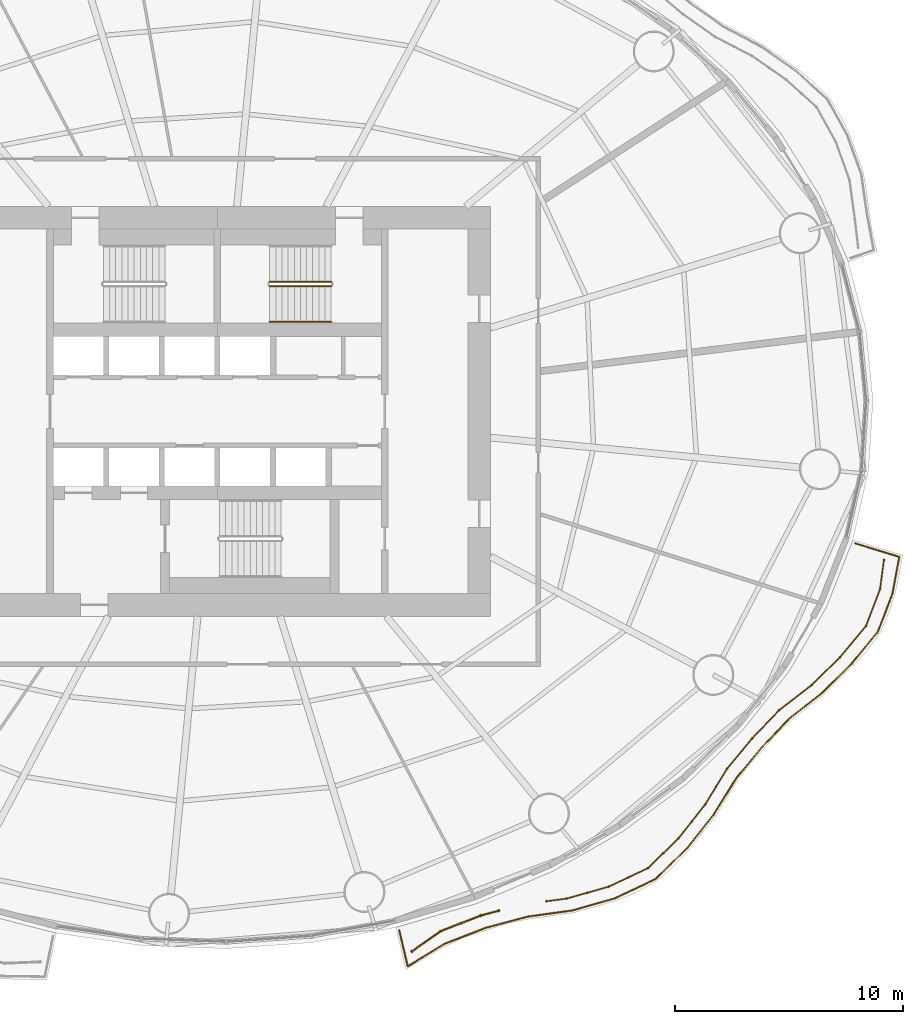
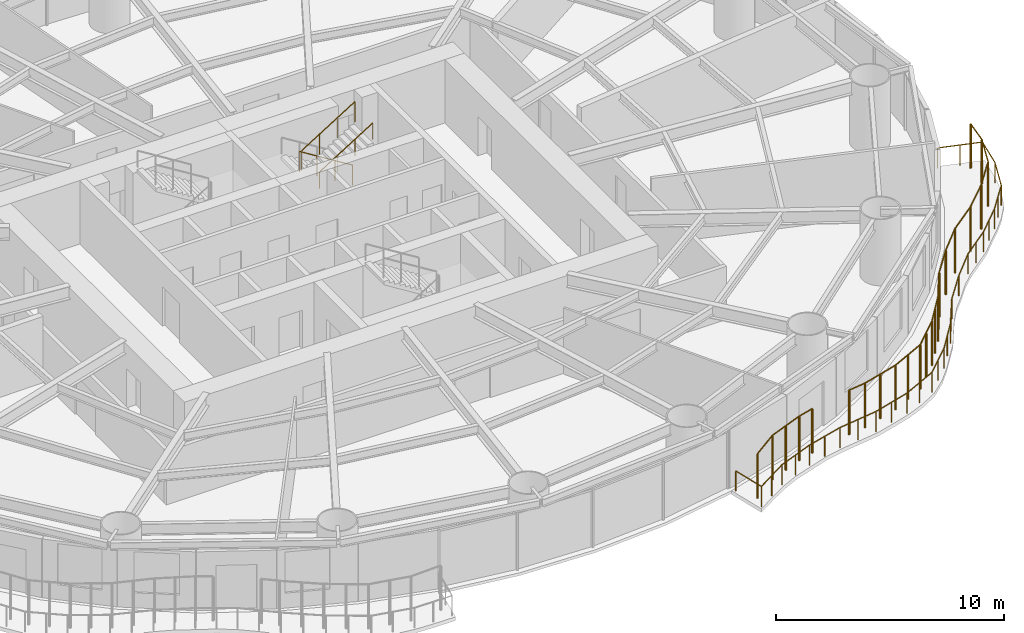
# One storey, part 14 of 17: 6 railings.
"""IFC4 building model written with IfcOpenShell, lengths in metres."""

from ifc_helpers import new_model, si_unit, direction, frame, origin, origin_2d, place, context, subcontext, project, spatial, circle, extrude, material, type_object, element, save


model = new_model("IFC4")

# Units and contexts
model_context = context("Model", 3, precision=1e-05, world=origin(), true_north=direction((0.0, 1.0)))
body_context = subcontext(model_context, "Body", "Model", "MODEL_VIEW")
ifc_project = project(units=[si_unit("LENGTHUNIT", "METRE"), si_unit("AREAUNIT", "SQUARE_METRE"), si_unit("VOLUMEUNIT", "CUBIC_METRE"), si_unit("PLANEANGLEUNIT", "RADIAN"), si_unit("MASSUNIT", "GRAM", prefix="KILO")], contexts=[model_context])

# Site, building, storey
site_placement = place(None, origin())
site = spatial("IfcSite", under=ifc_project, at=site_placement, CompositionType="ELEMENT")
building_placement = place(site_placement, origin())
building = spatial("IfcBuilding", under=site, at=building_placement, Name="Vermilion Reach Broadcast Tower", CompositionType="ELEMENT")
storey_placement = place(building_placement, frame((0.0, 0.0, 39.699951171875)))
storey = spatial("IfcBuildingStorey", under=building, at=storey_placement, Name="L06", CompositionType="ELEMENT", Elevation=39.699951171875)

# Railings
ifc_material_1 = material(Name="Terracotta baguette", Category="masonry")
railing_type_1 = type_object("IfcRailingType", Name="BAGUETTE SCREEN", PredefinedType="USERDEFINED", material=ifc_material_1)
railing_1_placement = place(storey_placement, frame((2.54541015625, -23.715087890625, 0.0)))
element("IfcRailing", 1, at=railing_1_placement, inside=storey, type_object=railing_type_1, Name="Baguette screen L06 group 4 part 1", ObjectType="BAGUETTE SCREEN", PredefinedType="USERDEFINED", context=body_context, shape_type="SweptSolid", body=[
    extrude(circle(Radius=0.030029296875, at=origin_2d()), frame((0.0, 0.0, 2.369873046875), z_axis=(0.818690672981, 0.574234779488, 0.0), x_axis=(-0.574234779488, 0.818690672981, 0.0)), (0.0, 0.0, 1.0), 1.548095703125),
    extrude(circle(Radius=0.030029296875, at=origin_2d()), frame((1.267333984375, 0.888916015625, 2.369873046875), z_axis=(0.931484720131, 0.363780450495, 0.0), x_axis=(-0.363780450495, 0.931484720131, 0.0)), (0.0, 0.0, 1.0), 1.88916015625),
    extrude(circle(Radius=0.030029296875, at=origin_2d()), frame((3.027099609375, 1.576171875, 2.369873046875), z_axis=(0.966199981896, 0.257793706253, 0.0), x_axis=(-0.257793706253, 0.966199981896, 0.0)), (0.0, 0.0, 1.0), 0.8115234375),
    extrude(circle(Radius=0.050048828125, at=origin_2d()), origin(), (0.0, 0.0, 1.0), 2.33984375),
    extrude(circle(Radius=0.050048828125, at=origin_2d()), frame((1.267333984375, 0.888916015625, 0.0)), (0.0, 0.0, 1.0), 2.33984375),
    extrude(circle(Radius=0.050048828125, at=origin_2d()), frame((2.147216796875, 1.232421875, 0.0)), (0.0, 0.0, 1.0), 2.33984375),
    extrude(circle(Radius=0.050048828125, at=origin_2d()), frame((3.027099609375, 1.576171875, 0.0)), (0.0, 0.0, 1.0), 2.33984375),
    extrude(circle(Radius=0.050048828125, at=origin_2d()), frame((3.811279296875, 1.785400390625, 0.0)), (0.0, 0.0, 1.0), 2.33984375),
])
railing_2_placement = place(storey_placement, frame((8.4609375, -21.51318359375, 0.0)))
element("IfcRailing", 2, at=railing_2_placement, inside=storey, type_object=railing_type_1, Name="Baguette screen L06 group 4 part 2", ObjectType="BAGUETTE SCREEN", PredefinedType="USERDEFINED", context=body_context, shape_type="SweptSolid", body=[
    extrude(circle(Radius=0.030029296875, at=origin_2d()), frame((0.0, 0.0, 2.369873046875), z_axis=(0.99131712861, 0.131492777462, 0.0), x_axis=(-0.131492777462, 0.99131712861, 0.0)), (0.0, 0.0, 1.0), 0.8818359375),
    extrude(circle(Radius=0.030029296875, at=origin_2d()), frame((0.874267578125, 0.115966796875, 2.369873046875), z_axis=(0.962344839156, 0.271831584901, 0.0), x_axis=(-0.271831584901, 0.962344839156, 0.0)), (0.0, 0.0, 1.0), 1.920166015625),
    extrude(circle(Radius=0.030029296875, at=origin_2d()), frame((2.72216796875, 0.637939453125, 2.369873046875), z_axis=(0.904125234419, 0.427267551408, 0.0), x_axis=(-0.427267551408, 0.904125234419, 0.0)), (0.0, 0.0, 1.0), 1.91015625),
    extrude(circle(Radius=0.030029296875, at=origin_2d()), frame((4.44921875, 1.4541015625, 2.369873046875), z_axis=(0.716141346478, 0.697955279272, 0.0), x_axis=(-0.697955279272, 0.716141346478, 0.0)), (0.0, 0.0, 1.0), 1.87939453125),
    extrude(circle(Radius=0.030029296875, at=origin_2d()), frame((5.795166015625, 2.765869140625, 2.369873046875), z_axis=(0.618347130727, 0.785905099819, 0.0), x_axis=(-0.785905099819, 0.618347130727, 0.0)), (0.0, 0.0, 1.0), 1.886962890625),
    extrude(circle(Radius=0.030029296875, at=origin_2d()), frame((6.9619140625, 4.248779296875, 2.369873046875), z_axis=(0.52149841475, 0.853252250752, 0.0), x_axis=(-0.853252250752, 0.52149841475, 0.0)), (0.0, 0.0, 1.0), 1.836181640625),
    extrude(circle(Radius=0.030029296875, at=origin_2d()), frame((7.91943359375, 5.8154296875, 2.369873046875), z_axis=(0.638313660268, 0.769776377343, 0.0), x_axis=(-0.769776377343, 0.638313660268, 0.0)), (0.0, 0.0, 1.0), 1.74755859375),
    extrude(circle(Radius=0.030029296875, at=origin_2d()), frame((9.034912109375, 7.16064453125, 2.369873046875), z_axis=(0.691437669875, 0.722436120828, 0.0), x_axis=(-0.722436120828, 0.691437669875, 0.0)), (0.0, 0.0, 1.0), 1.701171875),
    extrude(circle(Radius=0.030029296875, at=origin_2d()), frame((10.211181640625, 8.3896484375, 2.369873046875), z_axis=(0.790781165997, 0.612098968717, 0.0), x_axis=(-0.612098968717, 0.790781165997, 0.0)), (0.0, 0.0, 1.0), 1.791259765625),
    extrude(circle(Radius=0.030029296875, at=origin_2d()), frame((11.627685546875, 9.486083984375, 2.369873046875), z_axis=(0.714481562941, 0.699654269063, 0.0), x_axis=(-0.699654269063, 0.714481562941, 0.0)), (0.0, 0.0, 1.0), 1.76171875),
    extrude(circle(Radius=0.030029296875, at=origin_2d()), frame((12.886474609375, 10.71875, 2.369873046875), z_axis=(0.638810401964, 0.769364198766, 0.0), x_axis=(-0.769364198766, 0.638810401964, 0.0)), (0.0, 0.0, 1.0), 1.783935546875),
    extrude(circle(Radius=0.030029296875, at=origin_2d()), frame((14.026123046875, 12.09130859375, 2.369873046875), z_axis=(0.356730756204, 0.934207240166, 0.0), x_axis=(-0.934207240166, 0.356730756204, 0.0)), (0.0, 0.0, 1.0), 1.725341796875),
    extrude(circle(Radius=0.030029296875, at=origin_2d()), frame((14.6416015625, 13.703125, 2.369873046875), z_axis=(0.131186894465, 0.991357654291, 0.0), x_axis=(-0.991357654291, 0.131186894465, 0.0)), (0.0, 0.0, 1.0), 1.29345703125),
    extrude(circle(Radius=0.050048828125, at=origin_2d()), origin(), (0.0, 0.0, 1.0), 2.33984375),
    extrude(circle(Radius=0.050048828125, at=origin_2d()), frame((0.874267578125, 0.115966796875, 0.0)), (0.0, 0.0, 1.0), 2.33984375),
    extrude(circle(Radius=0.050048828125, at=origin_2d()), frame((1.79833984375, 0.376953125, 0.0)), (0.0, 0.0, 1.0), 2.33984375),
    extrude(circle(Radius=0.050048828125, at=origin_2d()), frame((2.72216796875, 0.637939453125, 0.0)), (0.0, 0.0, 1.0), 2.33984375),
    extrude(circle(Radius=0.050048828125, at=origin_2d()), frame((3.585693359375, 1.0458984375, 0.0)), (0.0, 0.0, 1.0), 2.33984375),
    extrude(circle(Radius=0.050048828125, at=origin_2d()), frame((4.44921875, 1.4541015625, 0.0)), (0.0, 0.0, 1.0), 2.33984375),
    extrude(circle(Radius=0.050048828125, at=origin_2d()), frame((5.1220703125, 2.10986328125, 0.0)), (0.0, 0.0, 1.0), 2.33984375),
    extrude(circle(Radius=0.050048828125, at=origin_2d()), frame((5.795166015625, 2.765869140625, 0.0)), (0.0, 0.0, 1.0), 2.33984375),
    extrude(circle(Radius=0.050048828125, at=origin_2d()), frame((6.37841796875, 3.50732421875, 0.0)), (0.0, 0.0, 1.0), 2.33984375),
    extrude(circle(Radius=0.050048828125, at=origin_2d()), frame((6.9619140625, 4.248779296875, 0.0)), (0.0, 0.0, 1.0), 2.33984375),
    extrude(circle(Radius=0.050048828125, at=origin_2d()), frame((7.440673828125, 5.0322265625, 0.0)), (0.0, 0.0, 1.0), 2.33984375),
    extrude(circle(Radius=0.050048828125, at=origin_2d()), frame((7.91943359375, 5.8154296875, 0.0)), (0.0, 0.0, 1.0), 2.33984375),
    extrude(circle(Radius=0.050048828125, at=origin_2d()), frame((9.034912109375, 7.16064453125, 0.0)), (0.0, 0.0, 1.0), 2.33984375),
    extrude(circle(Radius=0.050048828125, at=origin_2d()), frame((10.211181640625, 8.3896484375, 0.0)), (0.0, 0.0, 1.0), 2.33984375),
    extrude(circle(Radius=0.050048828125, at=origin_2d()), frame((11.627685546875, 9.486083984375, 0.0)), (0.0, 0.0, 1.0), 2.33984375),
    extrude(circle(Radius=0.050048828125, at=origin_2d()), frame((12.886474609375, 10.71875, 0.0)), (0.0, 0.0, 1.0), 2.33984375),
    extrude(circle(Radius=0.050048828125, at=origin_2d()), frame((14.026123046875, 12.09130859375, 0.0)), (0.0, 0.0, 1.0), 2.33984375),
    extrude(circle(Radius=0.050048828125, at=origin_2d()), frame((14.6416015625, 13.703125, 0.0)), (0.0, 0.0, 1.0), 2.33984375),
    extrude(circle(Radius=0.050048828125, at=origin_2d()), frame((14.811279296875, 14.9853515625, 0.0)), (0.0, 0.0, 1.0), 2.33984375),
])
ifc_material_2 = material(Name="Stainless steel 316 balustrade", Category="steel")
railing_type_2 = type_object("IfcRailingType", Name="Balcony guard 1100", PredefinedType="BALUSTRADE", material=ifc_material_2)
railing_3_placement = place(storey_placement, frame((1.984375, -22.779052734375, 0.0)))
element("IfcRailing", 3, at=railing_3_placement, inside=storey, type_object=railing_type_2, Name="Balcony guard L06 group 4", PredefinedType="BALUSTRADE", context=body_context, shape_type="SweptSolid", body=[
    extrude(circle(Radius=0.02490234375, at=origin_2d()), frame((0.0, 0.0, 1.0751953125), z_axis=(0.231123564443, -0.972924405059, 0.0), x_axis=(0.972924405059, 0.231123564443, 0.0)), (0.0, 0.0, 1.0), 1.638427734375),
    extrude(circle(Radius=0.02490234375, at=origin_2d()), frame((0.378662109375, -1.593994140625, 1.0751953125), z_axis=(0.852321422862, 0.523018347796, 0.0), x_axis=(-0.523018347796, 0.852321422862, 0.0)), (0.0, 0.0, 1.0), 1.894287109375),
    extrude(circle(Radius=0.02490234375, at=origin_2d()), frame((1.9931640625, -0.603271484375, 1.0751953125), z_axis=(0.931811430424, 0.362942775286, 0.0), x_axis=(-0.362942775286, 0.931811430424, 0.0)), (0.0, 0.0, 1.0), 1.921875),
    extrude(circle(Radius=0.02490234375, at=origin_2d()), frame((3.783935546875, 0.09423828125, 1.0751953125), z_axis=(0.965748079467, 0.259481496461, 0.0), x_axis=(-0.259481496461, 0.965748079467, 0.0)), (0.0, 0.0, 1.0), 1.904296875),
    extrude(circle(Radius=0.02490234375, at=origin_2d()), frame((5.623046875, 0.58837890625, 1.0751953125), z_axis=(0.990627384132, 0.136592041527, 0.0), x_axis=(-0.136592041527, 0.990627384132, 0.0)), (0.0, 0.0, 1.0), 2.003662109375),
    extrude(circle(Radius=0.02490234375, at=origin_2d()), frame((7.60791015625, 0.862060546875, 1.0751953125), z_axis=(0.961349252729, 0.275331825762, 0.0), x_axis=(-0.275331825762, 0.961349252729, 0.0)), (0.0, 0.0, 1.0), 1.953369140625),
    extrude(circle(Radius=0.02490234375, at=origin_2d()), frame((9.48583984375, 1.39990234375, 1.0751953125), z_axis=(0.903305472082, 0.42899793019, 0.0), x_axis=(-0.42899793019, 0.903305472082, 0.0)), (0.0, 0.0, 1.0), 1.945068359375),
    extrude(circle(Radius=0.02490234375, at=origin_2d()), frame((11.242919921875, 2.234375, 1.0751953125), z_axis=(0.718240222789, 0.695795215827, 0.0), x_axis=(-0.695795215827, 0.718240222789, 0.0)), (0.0, 0.0, 1.0), 1.914306640625),
    extrude(circle(Radius=0.02490234375, at=origin_2d()), frame((12.617919921875, 3.56640625, 1.0751953125), z_axis=(0.621811155655, 0.783167215033, 0.0), x_axis=(-0.783167215033, 0.621811155655, 0.0)), (0.0, 0.0, 1.0), 1.923095703125),
    extrude(circle(Radius=0.02490234375, at=origin_2d()), frame((13.813720703125, 5.072509765625, 1.0751953125), z_axis=(0.52639502437, 0.850240129798, 0.0), x_axis=(-0.850240129798, 0.52639502437, 0.0)), (0.0, 0.0, 1.0), 1.871826171875),
    extrude(circle(Radius=0.02490234375, at=origin_2d()), frame((14.799072265625, 6.6640625, 1.0751953125), z_axis=(0.639592867544, 0.768713837385, 0.0), x_axis=(-0.768713837385, 0.639592867544, 0.0)), (0.0, 0.0, 1.0), 1.786865234375),
    extrude(circle(Radius=0.02490234375, at=origin_2d()), frame((15.94189453125, 8.03759765625, 1.0751953125), z_axis=(0.690358957114, 0.723467007079, 0.0), x_axis=(-0.723467007079, 0.690358957114, 0.0)), (0.0, 0.0, 1.0), 1.740234375),
    extrude(circle(Radius=0.02490234375, at=origin_2d()), frame((17.143310546875, 9.296630859375, 1.0751953125), z_axis=(0.786984170655, 0.616973188346, 0.0), x_axis=(-0.616973188346, 0.786984170655, 0.0)), (0.0, 0.0, 1.0), 1.8310546875),
    extrude(circle(Radius=0.02490234375, at=origin_2d()), frame((18.584228515625, 10.42626953125, 1.0751953125), z_axis=(0.710688368153, 0.703506960429, 0.0), x_axis=(-0.703506960429, 0.710688368153, 0.0)), (0.0, 0.0, 1.0), 1.8017578125),
    extrude(circle(Radius=0.02490234375, at=origin_2d()), frame((19.86474609375, 11.69384765625, 1.0751953125), z_axis=(0.635201098531, 0.77234679026, 0.0), x_axis=(-0.77234679026, 0.635201098531, 0.0)), (0.0, 0.0, 1.0), 1.826416015625),
    extrude(circle(Radius=0.02490234375, at=origin_2d()), frame((21.02490234375, 13.1044921875, 1.0751953125), z_axis=(0.357665196115, 0.933849884879, 0.0), x_axis=(-0.933849884879, 0.357665196115, 0.0)), (0.0, 0.0, 1.0), 1.7685546875),
    extrude(circle(Radius=0.02490234375, at=origin_2d()), frame((21.657470703125, 14.756103515625, 1.0751953125), z_axis=(0.184306297075, 0.982868856389, 0.0), x_axis=(-0.982868856389, 0.184306297075, 0.0)), (0.0, 0.0, 1.0), 1.65966796875),
    extrude(circle(Radius=0.02490234375, at=origin_2d()), frame((21.96337890625, 16.387451171875, 1.0751953125), z_axis=(-0.955737215502, 0.294221642482, 0.0), x_axis=(-0.294221642482, -0.955737215502, 0.0)), (0.0, 0.0, 1.0), 2.021240234375),
    extrude(circle(Radius=0.02490234375, at=origin_2d()), origin(), (0.0, 0.0, 1.0), 1.050048828125),
    extrude(circle(Radius=0.02490234375, at=origin_2d()), frame((0.378662109375, -1.593994140625, 0.0)), (0.0, 0.0, 1.0), 1.050048828125),
    extrude(circle(Radius=0.02490234375, at=origin_2d()), frame((1.18603515625, -1.0986328125, 0.0)), (0.0, 0.0, 1.0), 1.050048828125),
    extrude(circle(Radius=0.02490234375, at=origin_2d()), frame((1.9931640625, -0.603271484375, 0.0)), (0.0, 0.0, 1.0), 1.050048828125),
    extrude(circle(Radius=0.02490234375, at=origin_2d()), frame((2.888671875, -0.25439453125, 0.0)), (0.0, 0.0, 1.0), 1.050048828125),
    extrude(circle(Radius=0.02490234375, at=origin_2d()), frame((3.783935546875, 0.09423828125, 0.0)), (0.0, 0.0, 1.0), 1.050048828125),
    extrude(circle(Radius=0.02490234375, at=origin_2d()), frame((4.70361328125, 0.34130859375, 0.0)), (0.0, 0.0, 1.0), 1.050048828125),
    extrude(circle(Radius=0.02490234375, at=origin_2d()), frame((5.623046875, 0.58837890625, 0.0)), (0.0, 0.0, 1.0), 1.050048828125),
    extrude(circle(Radius=0.02490234375, at=origin_2d()), frame((6.615478515625, 0.72509765625, 0.0)), (0.0, 0.0, 1.0), 1.050048828125),
    extrude(circle(Radius=0.02490234375, at=origin_2d()), frame((7.60791015625, 0.862060546875, 0.0)), (0.0, 0.0, 1.0), 1.050048828125),
    extrude(circle(Radius=0.02490234375, at=origin_2d()), frame((8.546875, 1.130859375, 0.0)), (0.0, 0.0, 1.0), 1.050048828125),
    extrude(circle(Radius=0.02490234375, at=origin_2d()), frame((9.48583984375, 1.39990234375, 0.0)), (0.0, 0.0, 1.0), 1.050048828125),
    extrude(circle(Radius=0.02490234375, at=origin_2d()), frame((10.3642578125, 1.817138671875, 0.0)), (0.0, 0.0, 1.0), 1.050048828125),
    extrude(circle(Radius=0.02490234375, at=origin_2d()), frame((11.242919921875, 2.234375, 0.0)), (0.0, 0.0, 1.0), 1.050048828125),
    extrude(circle(Radius=0.02490234375, at=origin_2d()), frame((11.930419921875, 2.900390625, 0.0)), (0.0, 0.0, 1.0), 1.050048828125),
    extrude(circle(Radius=0.02490234375, at=origin_2d()), frame((12.617919921875, 3.56640625, 0.0)), (0.0, 0.0, 1.0), 1.050048828125),
    extrude(circle(Radius=0.02490234375, at=origin_2d()), frame((13.2158203125, 4.3193359375, 0.0)), (0.0, 0.0, 1.0), 1.050048828125),
    extrude(circle(Radius=0.02490234375, at=origin_2d()), frame((13.813720703125, 5.072509765625, 0.0)), (0.0, 0.0, 1.0), 1.050048828125),
    extrude(circle(Radius=0.02490234375, at=origin_2d()), frame((14.306396484375, 5.8681640625, 0.0)), (0.0, 0.0, 1.0), 1.050048828125),
    extrude(circle(Radius=0.02490234375, at=origin_2d()), frame((14.799072265625, 6.6640625, 0.0)), (0.0, 0.0, 1.0), 1.050048828125),
    extrude(circle(Radius=0.02490234375, at=origin_2d()), frame((15.94189453125, 8.03759765625, 0.0)), (0.0, 0.0, 1.0), 1.050048828125),
    extrude(circle(Radius=0.02490234375, at=origin_2d()), frame((17.143310546875, 9.296630859375, 0.0)), (0.0, 0.0, 1.0), 1.050048828125),
    extrude(circle(Radius=0.02490234375, at=origin_2d()), frame((17.86376953125, 9.861328125, 0.0)), (0.0, 0.0, 1.0), 1.050048828125),
    extrude(circle(Radius=0.02490234375, at=origin_2d()), frame((18.584228515625, 10.42626953125, 0.0)), (0.0, 0.0, 1.0), 1.050048828125),
    extrude(circle(Radius=0.02490234375, at=origin_2d()), frame((19.224609375, 11.06005859375, 0.0)), (0.0, 0.0, 1.0), 1.050048828125),
    extrude(circle(Radius=0.02490234375, at=origin_2d()), frame((19.86474609375, 11.69384765625, 0.0)), (0.0, 0.0, 1.0), 1.050048828125),
    extrude(circle(Radius=0.02490234375, at=origin_2d()), frame((20.44482421875, 12.399169921875, 0.0)), (0.0, 0.0, 1.0), 1.050048828125),
    extrude(circle(Radius=0.02490234375, at=origin_2d()), frame((21.02490234375, 13.1044921875, 0.0)), (0.0, 0.0, 1.0), 1.050048828125),
    extrude(circle(Radius=0.02490234375, at=origin_2d()), frame((21.657470703125, 14.756103515625, 0.0)), (0.0, 0.0, 1.0), 1.050048828125),
    extrude(circle(Radius=0.02490234375, at=origin_2d()), frame((21.96337890625, 16.387451171875, 0.0)), (0.0, 0.0, 1.0), 1.050048828125),
    extrude(circle(Radius=0.02490234375, at=origin_2d()), frame((20.99755859375, 16.684814453125, 0.0)), (0.0, 0.0, 1.0), 1.050048828125),
    extrude(circle(Radius=0.02490234375, at=origin_2d()), frame((20.031494140625, 16.982177734375, 0.0)), (0.0, 0.0, 1.0), 1.050048828125),
])
ifc_material_3 = material(Name="Stainless steel", Category="steel")
railing_type_3 = type_object("IfcRailingType", Name="Stair guard 1100", PredefinedType="GUARDRAIL", material=ifc_material_3)
railing_4_placement = place(storey_placement, frame((-1.0, 5.68994140625, 0.168212890625)))
element("IfcRailing", 4, at=railing_4_placement, inside=storey, type_object=railing_type_3, Name="L06 ST2 stair guard 1", PredefinedType="GUARDRAIL", context=body_context, shape_type="SweptSolid", body=[
    extrude(circle(Radius=0.02392578125, at=origin_2d()), frame((0.0, 0.0, 1.076171875), z_axis=(-0.848786430784, 0.0, 0.528735846068), x_axis=(0.0, -1.0, 0.0)), (0.0, 0.0, 1.0), 3.180908203125),
    extrude(circle(Radius=0.02099609375, at=origin_2d()), origin(), (0.0, 0.0, 1.0), 1.052001953125),
    extrude(circle(Radius=0.02099609375, at=origin_2d()), frame((-0.89990234375, 0.0, 0.560546875)), (0.0, 0.0, 1.0), 1.052001953125),
    extrude(circle(Radius=0.02099609375, at=origin_2d()), frame((-1.800048828125, 0.0, 1.121337890625)), (0.0, 0.0, 1.0), 1.052001953125),
    extrude(circle(Radius=0.02099609375, at=origin_2d()), frame((-2.699951171875, 0.0, 1.681884765625)), (0.0, 0.0, 1.0), 1.052001953125),
])
railing_5_placement = place(storey_placement, frame((-3.699951171875, 5.489990234375, 2.018310546875)))
element("IfcRailing", 5, at=railing_5_placement, inside=storey, type_object=railing_type_3, Name="L06 ST2 stair guard 3", PredefinedType="GUARDRAIL", context=body_context, shape_type="SweptSolid", body=[
    extrude(circle(Radius=0.02392578125, at=origin_2d()), frame((0.0, 0.0, 1.076171875), z_axis=(0.84882087487, 0.0, 0.528680548522), x_axis=(0.0, 1.0, 0.0)), (0.0, 0.0, 1.0), 3.180908203125),
    extrude(circle(Radius=0.02099609375, at=origin_2d()), origin(), (0.0, 0.0, 1.0), 1.052001953125),
    extrude(circle(Radius=0.02099609375, at=origin_2d()), frame((0.89990234375, 0.0, 0.560546875)), (0.0, 0.0, 1.0), 1.052001953125),
    extrude(circle(Radius=0.02099609375, at=origin_2d()), frame((1.800048828125, 0.0, 1.12109375)), (0.0, 0.0, 1.0), 1.052001953125),
    extrude(circle(Radius=0.02099609375, at=origin_2d()), frame((2.699951171875, 0.0, 1.681640625)), (0.0, 0.0, 1.0), 1.052001953125),
])
ifc_material_4 = material(Name="Stainless steel", Category="steel")
railing_type_4 = type_object("IfcRailingType", Name="Stair handrail", PredefinedType="HANDRAIL", material=ifc_material_4)
railing_6_placement = place(storey_placement, frame((-3.699951171875, 3.929931640625, 2.018310546875)))
element("IfcRailing", 6, at=railing_6_placement, inside=storey, type_object=railing_type_4, Name="L06 ST2 stair handrail 2", PredefinedType="HANDRAIL", context=body_context, shape_type="SweptSolid", body=[
    extrude(circle(Radius=0.02392578125, at=origin_2d()), frame((0.0, 0.0, 0.8759765625), z_axis=(0.84882087487, 0.0, 0.528680548522), x_axis=(0.0, 1.0, 0.0)), (0.0, 0.0, 1.0), 3.180908203125),
    extrude(circle(Radius=0.02099609375, at=origin_2d()), origin(), (0.0, 0.0, 1.0), 0.851806640625),
    extrude(circle(Radius=0.02099609375, at=origin_2d()), frame((0.89990234375, 0.0, 0.560546875)), (0.0, 0.0, 1.0), 0.851806640625),
    extrude(circle(Radius=0.02099609375, at=origin_2d()), frame((1.800048828125, 0.0, 1.12109375)), (0.0, 0.0, 1.0), 0.851806640625),
    extrude(circle(Radius=0.02099609375, at=origin_2d()), frame((2.699951171875, 0.0, 1.681640625)), (0.0, 0.0, 1.0), 0.851806640625),
])

save(model, "model.ifc")
